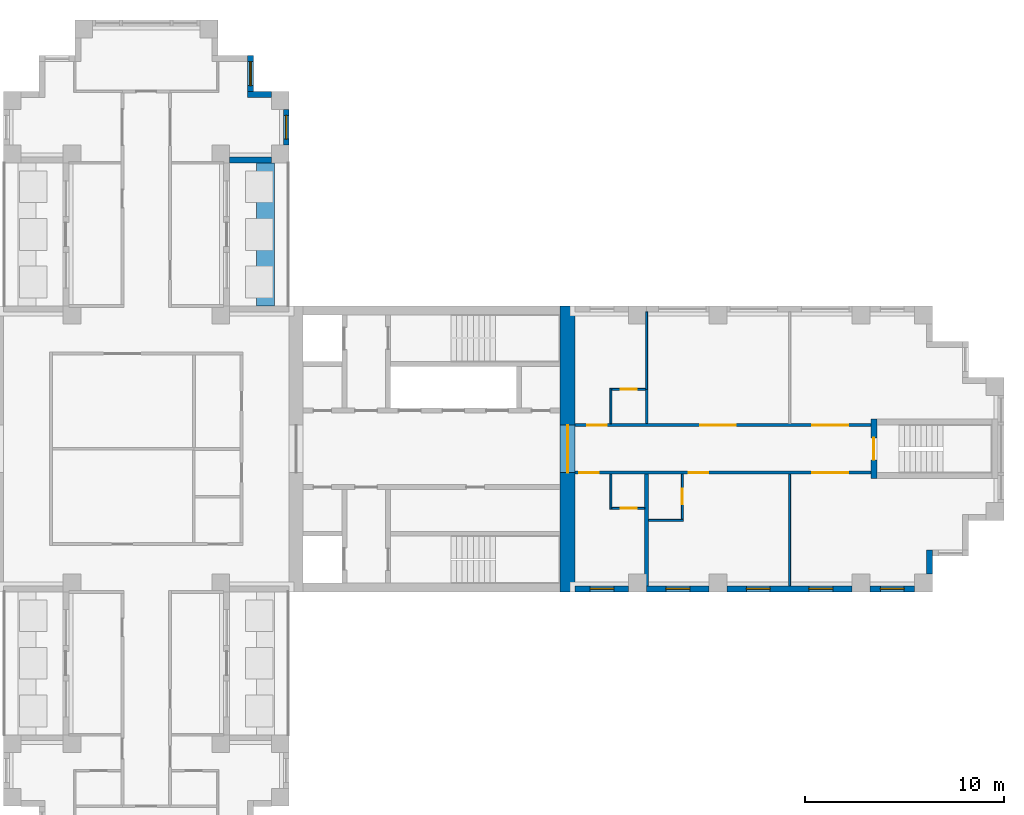
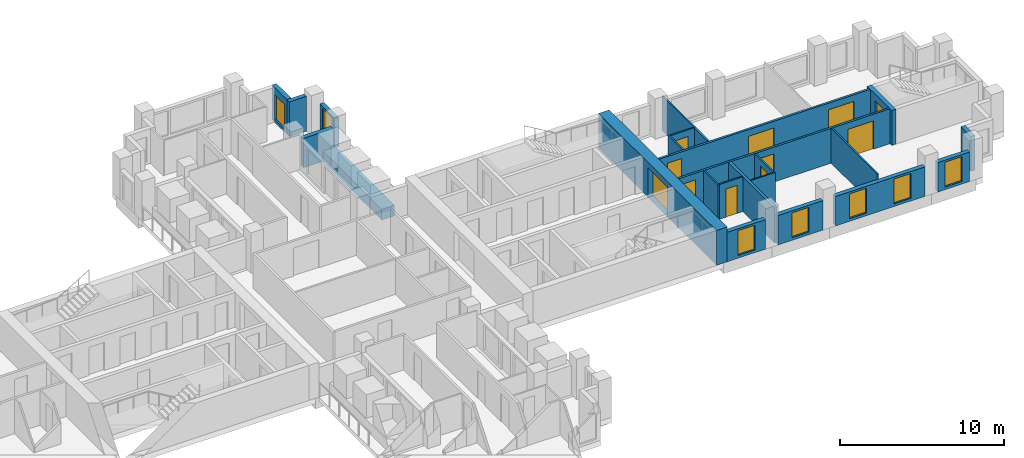
# One storey, part 8 of 12: 24 walls, 11 doors, 7 windows, 18 openings.
"""IFC4 building model written with IfcOpenShell, lengths in metres."""

from ifc_helpers import new_model, si_unit, direction, frame, frame_2d, origin, place, context, subcontext, project, spatial, rectangle, extrude, material, layer, layer_set, type_object, element, fill, save


model = new_model("IFC4")

# Units and contexts
model_context = context("Model", 3, precision=1e-05, world=origin(), true_north=direction((0.0, 1.0)))
body_context = subcontext(model_context, "Body", "Model", "MODEL_VIEW")
ifc_project = project(units=[si_unit("LENGTHUNIT", "METRE"), si_unit("AREAUNIT", "SQUARE_METRE"), si_unit("VOLUMEUNIT", "CUBIC_METRE"), si_unit("PLANEANGLEUNIT", "RADIAN"), si_unit("MASSUNIT", "GRAM", prefix="KILO")], contexts=[model_context])

# Site, building, storey
site_placement = place(None, origin())
site = spatial("IfcSite", under=ifc_project, at=site_placement, CompositionType="ELEMENT")
building_placement = place(site_placement, origin())
building = spatial("IfcBuilding", under=site, at=building_placement, Name="Fustian Cross Tower", CompositionType="ELEMENT")
storey_placement = place(building_placement, frame((0.0, 0.0, 135.300048828125)))
storey = spatial("IfcBuildingStorey", under=building, at=storey_placement, Name="L42", CompositionType="ELEMENT", Elevation=135.300048828125)

# Wall, openings, doors
ifc_material_1 = material(Name="Plasterboard on steel stud", Category="steel")
ifc_layer_1 = layer(ifc_material_1, 0.14990234375)
ifc_layer_set_1 = layer_set([ifc_layer_1], Name="Plasterboard on steel stud")
wall_type_1 = type_object("IfcWallType", Name="COMPARTMENT WALL 150 EI 60", PredefinedType="PARTITIONING", material=ifc_layer_set_1)
wall_1_placement = place(storey_placement, frame((21.60009765625, -1.199951171875, 0.0), z_axis=(0.0, 0.0, 1.0), x_axis=(1.0, 0.0, 0.0)))
wall_1 = element("IfcWall", 1, at=wall_1_placement, inside=storey, type_object=wall_type_1, Name="Partition 49", PredefinedType="PARTITIONING", context=body_context, shape_type="SweptSolid", body=[
    extrude(rectangle(XDim=14.89990234375, YDim=0.14990234375, at=frame_2d((7.449951171875, 0.0))), origin(), (0.0, 0.0, 1.0), 2.599853515625),
])
opening_1_placement = place(wall_1_placement, frame((0.199951171875, 0.0, 0.0)))
opening_1 = element("IfcOpeningElement", 2, at=opening_1_placement, cuts=wall_1, Name="Opening D19011", PredefinedType="OPENING", context=body_context, shape_type="SweptSolid", body=[
    extrude(rectangle(XDim=1.0, YDim=2.10009765625, at=frame_2d((0.5, 1.050048828125))), frame((0.0, 0.0849609375, 0.0), z_axis=(0.0, -1.0, 0.0), x_axis=(1.0, 0.0, 0.0)), (0.0, 0.0, 1.0), 0.169921875),
])
opening_2_placement = place(wall_1_placement, frame((5.7099609375, 0.0, 0.0)))
opening_2 = element("IfcOpeningElement", 3, at=opening_2_placement, cuts=wall_1, Name="Opening D19013", PredefinedType="OPENING", context=body_context, shape_type="SweptSolid", body=[
    extrude(rectangle(XDim=1.0, YDim=2.10009765625, at=frame_2d((0.5, 1.050048828125))), frame((0.0, 0.0849609375, 0.0), z_axis=(0.0, -1.0, 0.0), x_axis=(1.0, 0.0, 0.0)), (0.0, 0.0, 1.0), 0.169921875),
])
opening_3_placement = place(wall_1_placement, frame((11.949951171875, 0.0, 0.0)))
opening_3 = element("IfcOpeningElement", 4, at=opening_3_placement, cuts=wall_1, Name="Opening D19014", PredefinedType="OPENING", context=body_context, shape_type="SweptSolid", body=[
    extrude(rectangle(XDim=1.800048828125, YDim=2.10009765625, at=frame_2d((0.89990234375, 1.050048828125))), frame((0.0, 0.0849609375, 0.0), z_axis=(0.0, -1.0, 0.0), x_axis=(1.0, 0.0, 0.0)), (0.0, 0.0, 1.0), 0.169921875),
])
ifc_material_2 = material(Name="Timber fire door set", Category="wood")
door_type_1 = type_object("IfcDoorType", Name="FIRE DOUBLE DOOR 1800 FD30S", OperationType="DOUBLE_DOOR_DOUBLE_SWING", PredefinedType="DOOR", material=ifc_material_2)
door_1_placement = place(opening_3_placement, origin())
door_1 = element("IfcDoor", 5, at=door_1_placement, inside=storey, type_object=door_type_1, Name="Door D19014", OperationType="DOUBLE_DOOR_DOUBLE_SWING", OverallHeight=2.10009765625, OverallWidth=1.800048828125, PredefinedType="DOOR", context=body_context, shape_type="SweptSolid", body=[
    extrude(rectangle(XDim=1.800048828125, YDim=2.10009765625, at=frame_2d((0.89990234375, 1.050048828125))), frame((0.0, 0.02490234375, 0.0), z_axis=(0.0, -1.0, 0.0), x_axis=(1.0, 0.0, 0.0)), (0.0, 0.0, 1.0), 0.050048828125),
])
fill(opening_3, door_1)
ifc_material_3 = material(Name="Timber fire door set", Category="wood")
door_type_2 = type_object("IfcDoorType", Name="FIRE SWING DOOR 1000 FD30S", OperationType="SINGLE_SWING_LEFT", PredefinedType="DOOR", material=ifc_material_3)
door_2_placement = place(opening_1_placement, frame((1.0, 0.0, 0.0), z_axis=(0.0, 0.0, 1.0), x_axis=(-1.0, 0.0, 0.0)))
door_2 = element("IfcDoor", 6, at=door_2_placement, inside=storey, type_object=door_type_2, Name="Door D19011", OperationType="SINGLE_SWING_RIGHT", OverallHeight=2.10009765625, OverallWidth=1.0, PredefinedType="DOOR", context=body_context, shape_type="SweptSolid", body=[
    extrude(rectangle(XDim=1.0, YDim=2.10009765625, at=frame_2d((0.5, 1.050048828125))), frame((0.0, 0.02490234375, 0.0), z_axis=(0.0, -1.0, 0.0), x_axis=(1.0, 0.0, 0.0)), (0.0, 0.0, 1.0), 0.050048828125),
])
fill(opening_1, door_2)
door_3_placement = place(opening_2_placement, frame((1.0, 0.0, 0.0), z_axis=(0.0, 0.0, 1.0), x_axis=(-1.0, 0.0, 0.0)))
door_3 = element("IfcDoor", 7, at=door_3_placement, inside=storey, type_object=door_type_2, Name="Door D19013", OperationType="SINGLE_SWING_RIGHT", OverallHeight=2.10009765625, OverallWidth=1.0, PredefinedType="DOOR", context=body_context, shape_type="SweptSolid", body=[
    extrude(rectangle(XDim=1.0, YDim=2.10009765625, at=frame_2d((0.5, 1.050048828125))), frame((0.0, 0.02490234375, 0.0), z_axis=(0.0, -1.0, 0.0), x_axis=(1.0, 0.0, 0.0)), (0.0, 0.0, 1.0), 0.050048828125),
])
fill(opening_2, door_3)

wall_2_placement = place(storey_placement, frame((21.60009765625, 1.199951171875, 0.0), z_axis=(0.0, 0.0, 1.0), x_axis=(1.0, 0.0, 0.0)))
wall_2 = element("IfcWall", 8, at=wall_2_placement, inside=storey, type_object=wall_type_1, Name="Partition 50", PredefinedType="PARTITIONING", context=body_context, shape_type="SweptSolid", body=[
    extrude(rectangle(XDim=14.89990234375, YDim=0.14990234375, at=frame_2d((7.449951171875, 0.0))), origin(), (0.0, 0.0, 1.0), 2.599853515625),
])
opening_4_placement = place(wall_2_placement, frame((0.60009765625, 0.0, 0.0)))
opening_4 = element("IfcOpeningElement", 9, at=opening_4_placement, cuts=wall_2, Name="Opening D19007", PredefinedType="OPENING", context=body_context, shape_type="SweptSolid", body=[
    extrude(rectangle(XDim=1.0, YDim=2.10009765625, at=frame_2d((0.5, 1.050048828125))), frame((0.0, 0.0849609375, 0.0), z_axis=(0.0, -1.0, 0.0), x_axis=(1.0, 0.0, 0.0)), (0.0, 0.0, 1.0), 0.169921875),
])
opening_5_placement = place(wall_2_placement, frame((6.300048828125, 0.0, 0.0)))
opening_5 = element("IfcOpeningElement", 10, at=opening_5_placement, cuts=wall_2, Name="Opening D19008", PredefinedType="OPENING", context=body_context, shape_type="SweptSolid", body=[
    extrude(rectangle(XDim=1.800048828125, YDim=2.10009765625, at=frame_2d((0.89990234375, 1.050048828125))), frame((0.0, 0.0849609375, 0.0), z_axis=(0.0, -1.0, 0.0), x_axis=(1.0, 0.0, 0.0)), (0.0, 0.0, 1.0), 0.169921875),
])
opening_6_placement = place(wall_2_placement, frame((11.949951171875, 0.0, 0.0)))
opening_6 = element("IfcOpeningElement", 11, at=opening_6_placement, cuts=wall_2, Name="Opening D19009", PredefinedType="OPENING", context=body_context, shape_type="SweptSolid", body=[
    extrude(rectangle(XDim=1.800048828125, YDim=2.10009765625, at=frame_2d((0.89990234375, 1.050048828125))), frame((0.0, 0.0849609375, 0.0), z_axis=(0.0, -1.0, 0.0), x_axis=(1.0, 0.0, 0.0)), (0.0, 0.0, 1.0), 0.169921875),
])
door_4_placement = place(opening_5_placement, frame((1.800048828125, 0.0, 0.0), z_axis=(0.0, 0.0, 1.0), x_axis=(-1.0, 0.0, 0.0)))
door_4 = element("IfcDoor", 12, at=door_4_placement, inside=storey, type_object=door_type_1, Name="Door D19008", OperationType="DOUBLE_DOOR_DOUBLE_SWING", OverallHeight=2.10009765625, OverallWidth=1.800048828125, PredefinedType="DOOR", context=body_context, shape_type="SweptSolid", body=[
    extrude(rectangle(XDim=1.800048828125, YDim=2.10009765625, at=frame_2d((0.89990234375, 1.050048828125))), frame((0.0, 0.02490234375, 0.0), z_axis=(0.0, -1.0, 0.0), x_axis=(1.0, 0.0, 0.0)), (0.0, 0.0, 1.0), 0.050048828125),
])
fill(opening_5, door_4)
door_5_placement = place(opening_6_placement, frame((1.800048828125, 0.0, 0.0), z_axis=(0.0, 0.0, 1.0), x_axis=(-1.0, 0.0, 0.0)))
door_5 = element("IfcDoor", 13, at=door_5_placement, inside=storey, type_object=door_type_1, Name="Door D19009", OperationType="DOUBLE_DOOR_DOUBLE_SWING", OverallHeight=2.10009765625, OverallWidth=1.800048828125, PredefinedType="DOOR", context=body_context, shape_type="SweptSolid", body=[
    extrude(rectangle(XDim=1.800048828125, YDim=2.10009765625, at=frame_2d((0.89990234375, 1.050048828125))), frame((0.0, 0.02490234375, 0.0), z_axis=(0.0, -1.0, 0.0), x_axis=(1.0, 0.0, 0.0)), (0.0, 0.0, 1.0), 0.050048828125),
])
fill(opening_6, door_5)
door_6_placement = place(opening_4_placement, origin())
door_6 = element("IfcDoor", 14, at=door_6_placement, inside=storey, type_object=door_type_2, Name="Door D19007", OperationType="SINGLE_SWING_RIGHT", OverallHeight=2.10009765625, OverallWidth=1.0, PredefinedType="DOOR", context=body_context, shape_type="SweptSolid", body=[
    extrude(rectangle(XDim=1.0, YDim=2.10009765625, at=frame_2d((0.5, 1.050048828125))), frame((0.0, 0.02490234375, 0.0), z_axis=(0.0, -1.0, 0.0), x_axis=(1.0, 0.0, 0.0)), (0.0, 0.0, 1.0), 0.050048828125),
])
fill(opening_4, door_6)

# Wall, opening, door
ifc_material_4 = material(Name="Concrete C60/75", Category="concrete")
ifc_layer_2 = layer(ifc_material_4, 0.75)
ifc_layer_set_2 = layer_set([ifc_layer_2], Name="Concrete C60/75")
wall_type_2 = type_object("IfcWallType", Name="CORE END WALL 750 C60/75", PredefinedType="SHEAR", material=ifc_layer_set_2)
wall_3_placement = place(storey_placement, frame((21.22509765625, -7.199951171875, 0.0), z_axis=(0.0, 0.0, 1.0), x_axis=(0.0, 1.0, 0.0)))
wall_3 = element("IfcWall", 15, at=wall_3_placement, inside=storey, type_object=wall_type_2, Name="Core end wall", PredefinedType="SHEAR", context=body_context, shape_type="SweptSolid", body=[
    extrude(rectangle(XDim=14.39990234375, YDim=0.75, at=frame_2d((7.199951171875, 0.0))), origin(), (0.0, 0.0, 1.0), 2.599853515625),
])
opening_7_placement = place(wall_3_placement, frame((6.0, 0.0, 0.0)))
opening_7 = element("IfcOpeningElement", 16, at=opening_7_placement, cuts=wall_3, Name="Opening CD-17-13", PredefinedType="OPENING", context=body_context, shape_type="SweptSolid", body=[
    extrude(rectangle(XDim=2.39990234375, YDim=2.199951171875, at=frame_2d((1.199951171875, 1.10009765625))), frame((0.0, 0.385009765625, 0.0), z_axis=(0.0, -1.0, 0.0), x_axis=(1.0, 0.0, 0.0)), (0.0, 0.0, 1.0), 0.77001953125),
])
ifc_material_5 = material(Name="Steel", Category="steel")
door_type_3 = type_object("IfcDoorType", Name="FIRE DOOR FD30S DOUBLE 2400X2200", OperationType="DOUBLE_DOOR_DOUBLE_SWING", PredefinedType="DOOR", material=ifc_material_5)
door_7_placement = place(opening_7_placement, origin())
door_7 = element("IfcDoor", 17, at=door_7_placement, inside=storey, type_object=door_type_3, Name="Core door CD-17-13", OperationType="DOUBLE_DOOR_DOUBLE_SWING", OverallHeight=2.199951171875, OverallWidth=2.39990234375, PredefinedType="DOOR", context=body_context, shape_type="SweptSolid", body=[
    extrude(rectangle(XDim=2.39990234375, YDim=2.199951171875, at=frame_2d((1.199951171875, 1.10009765625))), frame((0.0, 0.02490234375, 0.0), z_axis=(0.0, -1.0, 0.0), x_axis=(1.0, 0.0, 0.0)), (0.0, 0.0, 1.0), 0.050048828125),
])
fill(opening_7, door_7)

# Wall
ifc_material_6 = material(Name="Plasterboard on steel stud", Category="steel")
ifc_layer_3 = layer(ifc_material_6, 0.10009765625)
ifc_layer_set_3 = layer_set([ifc_layer_3], Name="Plasterboard on steel stud")
wall_type_3 = type_object("IfcWallType", Name="PARTITION 100 STUD", PredefinedType="PARTITIONING", material=ifc_layer_set_3)
wall_4_placement = place(storey_placement, frame((23.39990234375, -3.050048828125, 0.0), z_axis=(0.0, 0.0, 1.0), x_axis=(0.0, 1.0, 0.0)))
element("IfcWall", 18, at=wall_4_placement, inside=storey, type_object=wall_type_3, Name="Partition 51", PredefinedType="PARTITIONING", context=body_context, shape_type="SweptSolid", body=[
    extrude(rectangle(XDim=1.775146484375, YDim=0.10009765625, at=frame_2d((0.8876953125, 0.0))), origin(), (0.0, 0.0, 1.0), 2.599853515625),
])

# Wall, opening, door
wall_5_placement = place(storey_placement, frame((23.449951171875, -3.0, 0.0), z_axis=(0.0, 0.0, 1.0), x_axis=(1.0, 0.0, 0.0)))
wall_5 = element("IfcWall", 19, at=wall_5_placement, inside=storey, type_object=wall_type_3, Name="Partition 52", PredefinedType="PARTITIONING", context=body_context, shape_type="SweptSolid", body=[
    extrude(rectangle(XDim=1.650146484375, YDim=0.10009765625, at=frame_2d((0.8251953125, 0.0))), origin(), (0.0, 0.0, 1.0), 2.599853515625),
])
opening_8_placement = place(wall_5_placement, frame((0.449951171875, 0.0, 0.0)))
opening_8 = element("IfcOpeningElement", 20, at=opening_8_placement, cuts=wall_5, Name="Opening D19010", PredefinedType="OPENING", context=body_context, shape_type="SweptSolid", body=[
    extrude(rectangle(XDim=0.800048828125, YDim=2.10009765625, at=frame_2d((0.39990234375, 1.050048828125))), frame((0.0, 0.06005859375, 0.0), z_axis=(0.0, -1.0, 0.0), x_axis=(1.0, 0.0, 0.0)), (0.0, 0.0, 1.0), 0.1201171875),
])
ifc_material_7 = material(Name="Painted timber", Category="wood")
door_type_4 = type_object("IfcDoorType", Name="SWING DOOR 800", OperationType="SINGLE_SWING_LEFT", PredefinedType="DOOR", material=ifc_material_7)
door_8_placement = place(opening_8_placement, origin())
door_8 = element("IfcDoor", 21, at=door_8_placement, inside=storey, type_object=door_type_4, Name="Door D19010", OperationType="SINGLE_SWING_RIGHT", OverallHeight=2.10009765625, OverallWidth=0.800048828125, PredefinedType="DOOR", context=body_context, shape_type="SweptSolid", body=[
    extrude(rectangle(XDim=0.800048828125, YDim=2.10009765625, at=frame_2d((0.39990234375, 1.050048828125))), frame((0.0, 0.02490234375, 0.0), z_axis=(0.0, -1.0, 0.0), x_axis=(1.0, 0.0, 0.0)), (0.0, 0.0, 1.0), 0.050048828125),
])
fill(opening_8, door_8)

# Wall
wall_6_placement = place(storey_placement, frame((23.39990234375, 1.27490234375, 0.0), z_axis=(0.0, 0.0, 1.0), x_axis=(0.0, 1.0, 0.0)))
element("IfcWall", 22, at=wall_6_placement, inside=storey, type_object=wall_type_3, Name="Partition 53", PredefinedType="PARTITIONING", context=body_context, shape_type="SweptSolid", body=[
    extrude(rectangle(XDim=1.775146484375, YDim=0.10009765625, at=frame_2d((0.8876953125, 0.0))), origin(), (0.0, 0.0, 1.0), 2.599853515625),
])

# Wall, opening, door
wall_7_placement = place(storey_placement, frame((23.449951171875, 3.0, 0.0), z_axis=(0.0, 0.0, 1.0), x_axis=(1.0, 0.0, 0.0)))
wall_7 = element("IfcWall", 23, at=wall_7_placement, inside=storey, type_object=wall_type_3, Name="Partition 54", PredefinedType="PARTITIONING", context=body_context, shape_type="SweptSolid", body=[
    extrude(rectangle(XDim=1.6875, YDim=0.10009765625, at=frame_2d((0.84375, 0.0))), origin(), (0.0, 0.0, 1.0), 2.599853515625),
])
opening_9_placement = place(wall_7_placement, frame((0.449951171875, 0.0, 0.0)))
opening_9 = element("IfcOpeningElement", 24, at=opening_9_placement, cuts=wall_7, Name="Opening D19006", PredefinedType="OPENING", context=body_context, shape_type="SweptSolid", body=[
    extrude(rectangle(XDim=0.800048828125, YDim=2.10009765625, at=frame_2d((0.39990234375, 1.050048828125))), frame((0.0, 0.06005859375, 0.0), z_axis=(0.0, -1.0, 0.0), x_axis=(1.0, 0.0, 0.0)), (0.0, 0.0, 1.0), 0.1201171875),
])
door_9_placement = place(opening_9_placement, frame((0.800048828125, 0.0, 0.0), z_axis=(0.0, 0.0, 1.0), x_axis=(-1.0, 0.0, 0.0)))
door_9 = element("IfcDoor", 25, at=door_9_placement, inside=storey, type_object=door_type_4, Name="Door D19006", OperationType="SINGLE_SWING_LEFT", OverallHeight=2.10009765625, OverallWidth=0.800048828125, PredefinedType="DOOR", context=body_context, shape_type="SweptSolid", body=[
    extrude(rectangle(XDim=0.800048828125, YDim=2.10009765625, at=frame_2d((0.39990234375, 1.050048828125))), frame((0.0, 0.02490234375, 0.0), z_axis=(0.0, -1.0, 0.0), x_axis=(1.0, 0.0, 0.0)), (0.0, 0.0, 1.0), 0.050048828125),
])
fill(opening_9, door_9)

# Walls
wall_8_placement = place(storey_placement, frame((25.300048828125, -3.60009765625, 0.0), z_axis=(0.0, 0.0, 1.0), x_axis=(1.0, 0.0, 0.0)))
element("IfcWall", 26, at=wall_8_placement, inside=storey, type_object=wall_type_3, Name="Partition 56", PredefinedType="PARTITIONING", context=body_context, shape_type="SweptSolid", body=[
    extrude(rectangle(XDim=1.75, YDim=0.10009765625, at=frame_2d((0.875, 0.0))), origin(), (0.0, 0.0, 1.0), 2.599853515625),
])
wall_9_placement = place(storey_placement, frame((25.199951171875, 3.0, 0.0), z_axis=(0.0, 0.0, 1.0), x_axis=(0.0, 1.0, 0.0)))
element("IfcWall", 27, at=wall_9_placement, inside=storey, type_object=wall_type_3, Name="Partition 58", PredefinedType="PARTITIONING", context=body_context, shape_type="SweptSolid", body=[
    extrude(rectangle(XDim=3.89990234375, YDim=0.10009765625, at=frame_2d((1.949951171875, 0.0))), origin(), (0.0, 0.0, 1.0), 2.599853515625),
])

# Wall, opening, door
wall_10_placement = place(storey_placement, frame((27.0, -3.550048828125, 0.0), z_axis=(0.0, 0.0, 1.0), x_axis=(0.0, 1.0, 0.0)))
wall_10 = element("IfcWall", 28, at=wall_10_placement, inside=storey, type_object=wall_type_3, Name="Partition 59", PredefinedType="PARTITIONING", context=body_context, shape_type="SweptSolid", body=[
    extrude(rectangle(XDim=2.275146484375, YDim=0.10009765625, at=frame_2d((1.1376953125, 0.0))), origin(), (0.0, 0.0, 1.0), 2.599853515625),
])
opening_10_placement = place(wall_10_placement, frame((0.75, 0.0, 0.0)))
opening_10 = element("IfcOpeningElement", 29, at=opening_10_placement, cuts=wall_10, Name="Opening D19012", PredefinedType="OPENING", context=body_context, shape_type="SweptSolid", body=[
    extrude(rectangle(XDim=0.800048828125, YDim=2.10009765625, at=frame_2d((0.39990234375, 1.050048828125))), frame((0.0, 0.06005859375, 0.0), z_axis=(0.0, -1.0, 0.0), x_axis=(1.0, 0.0, 0.0)), (0.0, 0.0, 1.0), 0.1201171875),
])
door_10_placement = place(opening_10_placement, origin())
door_10 = element("IfcDoor", 30, at=door_10_placement, inside=storey, type_object=door_type_4, Name="Door D19012", OperationType="SINGLE_SWING_LEFT", OverallHeight=2.10009765625, OverallWidth=0.800048828125, PredefinedType="DOOR", context=body_context, shape_type="SweptSolid", body=[
    extrude(rectangle(XDim=0.800048828125, YDim=2.10009765625, at=frame_2d((0.39990234375, 1.050048828125))), frame((0.0, 0.02490234375, 0.0), z_axis=(0.0, -1.0, 0.0), x_axis=(1.0, 0.0, 0.0)), (0.0, 0.0, 1.0), 0.050048828125),
])
fill(opening_10, door_10)

# Walls
wall_11_placement = place(storey_placement, frame((32.39990234375, -6.89990234375, 0.0), z_axis=(0.0, 0.0, 1.0), x_axis=(0.0, 1.0, 0.0)))
element("IfcWall", 31, at=wall_11_placement, inside=storey, type_object=wall_type_3, Name="Partition 60", PredefinedType="PARTITIONING", context=body_context, shape_type="SweptSolid", body=[
    extrude(rectangle(XDim=5.625, YDim=0.10009765625, at=frame_2d((2.8125, 0.0))), origin(), (0.0, 0.0, 1.0), 2.599853515625),
])
ifc_material_8 = material(Name="Plasterboard on steel stud", Category="steel")
ifc_layer_4 = layer(ifc_material_8, 0.199951171875)
ifc_layer_set_4 = layer_set([ifc_layer_4], Name="Plasterboard on steel stud")
wall_type_4 = type_object("IfcWallType", Name="PARTY WALL 200 EI 60", PredefinedType="PARTITIONING", material=ifc_layer_set_4)
wall_12_placement = place(storey_placement, frame((25.199951171875, -6.89990234375, 0.0), z_axis=(0.0, 0.0, 1.0), x_axis=(0.0, 1.0, 0.0)))
element("IfcWall", 32, at=wall_12_placement, inside=storey, type_object=wall_type_4, Name="Partition 55", PredefinedType="PARTITIONING", context=body_context, shape_type="SweptSolid", body=[
    extrude(rectangle(XDim=5.625, YDim=0.199951171875, at=frame_2d((2.8125, 0.0))), origin(), (0.0, 0.0, 1.0), 2.599853515625),
])
ifc_material_9 = material(Name="Concrete C40/50", Category="concrete")
ifc_layer_5 = layer(ifc_material_9, 0.89990234375)
ifc_layer_set_5 = layer_set([ifc_layer_5], Name="Concrete C40/50")
wall_type_5 = type_object("IfcWallType", Name="PK1 PLANTER 900", PredefinedType="PARAPET", material=ifc_layer_set_5)
wall_13_placement = place(storey_placement, frame((6.0, 7.199951171875, 0.0), z_axis=(0.0, 0.0, 1.0), x_axis=(0.0, 1.0, 0.0)))
element("IfcWall", 33, at=wall_13_placement, inside=storey, type_object=wall_type_5, Name="PLANTER", PredefinedType="PARAPET", context=body_context, shape_type="SweptSolid", body=[
    extrude(rectangle(XDim=7.199951171875, YDim=0.89990234375, at=frame_2d((3.60009765625, 0.0))), origin(), (0.0, 0.0, 1.0), 0.800048828125),
])

# Wall, opening, door
ifc_material_10 = material(Name="Concrete C50/60", Category="concrete")
ifc_layer_6 = layer(ifc_material_10, 0.300048828125)
ifc_layer_set_6 = layer_set([ifc_layer_6], Name="Concrete C50/60")
wall_type_6 = type_object("IfcWallType", Name="STAIR ENCLOSURE WALL 300 C50/60", PredefinedType="SHEAR", material=ifc_layer_set_6)
wall_14_placement = place(storey_placement, frame((36.64990234375, -1.5, 0.0), z_axis=(0.0, 0.0, 1.0), x_axis=(0.0, 1.0, 0.0)))
wall_14 = element("IfcWall", 34, at=wall_14_placement, inside=storey, type_object=wall_type_6, Name="Stair enclosure wall", PredefinedType="SHEAR", context=body_context, shape_type="SweptSolid", body=[
    extrude(rectangle(XDim=3.0, YDim=0.300048828125, at=frame_2d((1.5, 0.0))), origin(), (0.0, 0.0, 1.0), 2.599853515625),
])
opening_11_placement = place(wall_14_placement, frame((0.949951171875, 0.0, 0.0)))
opening_11 = element("IfcOpeningElement", 35, at=opening_11_placement, cuts=wall_14, Name="Opening CD-17-31", PredefinedType="OPENING", context=body_context, shape_type="SweptSolid", body=[
    extrude(rectangle(XDim=1.10009765625, YDim=2.10009765625, at=frame_2d((0.550048828125, 1.050048828125))), frame((0.0, 0.159912109375, 0.0), z_axis=(0.0, -1.0, 0.0), x_axis=(1.0, 0.0, 0.0)), (0.0, 0.0, 1.0), 0.320068359375),
])
ifc_material_11 = material(Name="Steel", Category="steel")
door_type_5 = type_object("IfcDoorType", Name="FIRE DOOR FD60S 1100X2100", OperationType="SINGLE_SWING_LEFT", PredefinedType="DOOR", material=ifc_material_11)
door_11_placement = place(opening_11_placement, frame((1.10009765625, 0.0, 0.0), z_axis=(0.0, 0.0, 1.0), x_axis=(-1.0, 0.0, 0.0)))
door_11 = element("IfcDoor", 36, at=door_11_placement, inside=storey, type_object=door_type_5, Name="Core door CD-17-31", OperationType="SINGLE_SWING_RIGHT", OverallHeight=2.10009765625, OverallWidth=1.10009765625, PredefinedType="DOOR", context=body_context, shape_type="SweptSolid", body=[
    extrude(rectangle(XDim=1.10009765625, YDim=2.10009765625, at=frame_2d((0.550048828125, 1.050048828125))), frame((0.0, 0.02490234375, 0.0), z_axis=(0.0, -1.0, 0.0), x_axis=(1.0, 0.0, 0.0)), (0.0, 0.0, 1.0), 0.050048828125),
])
fill(opening_11, door_11)

# Wall
ifc_material_12 = material(Name="Plasterboard on steel stud", Category="steel")
ifc_layer_7 = layer(ifc_material_12, 0.125)
ifc_layer_set_7 = layer_set([ifc_layer_7], Name="Plasterboard on steel stud")
wall_type_7 = type_object("IfcWallType", Name="WET WALL 125 STUD", PredefinedType="PARTITIONING", material=ifc_layer_set_7)
wall_15_placement = place(storey_placement, frame((25.199951171875, 1.27490234375, 0.0), z_axis=(0.0, 0.0, 1.0), x_axis=(0.0, 1.0, 0.0)))
element("IfcWall", 37, at=wall_15_placement, inside=storey, type_object=wall_type_7, Name="Partition 57", PredefinedType="PARTITIONING", context=body_context, shape_type="SweptSolid", body=[
    extrude(rectangle(XDim=1.72509765625, YDim=0.125, at=frame_2d((0.862548828125, 0.0))), origin(), (0.0, 0.0, 1.0), 2.599853515625),
])

# Wall, opening, window
ifc_material_13 = material(Name="Dark aluminium cladding on insulated backing wall", Category="aluminium")
ifc_layer_8 = layer(ifc_material_13, 0.300048828125)
ifc_layer_set_8 = layer_set([ifc_layer_8], Name="Dark aluminium cladding on insulated backing wall")
wall_type_8 = type_object("IfcWallType", Name="XW1 EXTERNAL WALL 300", PredefinedType="SOLIDWALL", material=ifc_layer_set_8)
wall_16_placement = place(storey_placement, frame((21.60009765625, -7.050048828125, 0.0), z_axis=(0.0, 0.0, 1.0), x_axis=(1.0, 0.0, 0.0)))
wall_16 = element("IfcWall", 38, at=wall_16_placement, inside=storey, type_object=wall_type_8, Name="External wall", PredefinedType="SOLIDWALL", context=body_context, shape_type="SweptSolid", body=[
    extrude(rectangle(XDim=2.699951171875, YDim=0.300048828125, at=frame_2d((1.35009765625, 0.0))), origin(), (0.0, 0.0, 1.0), 2.199951171875),
])
opening_12_placement = place(wall_16_placement, frame((0.75, 0.0, 0.199951171875)))
opening_12 = element("IfcOpeningElement", 39, at=opening_12_placement, cuts=wall_16, Name="Opening WN3", PredefinedType="OPENING", context=body_context, shape_type="SweptSolid", body=[
    extrude(rectangle(XDim=1.199951171875, YDim=1.85009765625, at=frame_2d((0.60009765625, 0.925048828125))), frame((0.0, 0.159912109375, 0.0), z_axis=(0.0, -1.0, 0.0), x_axis=(1.0, 0.0, 0.0)), (0.0, 0.0, 1.0), 0.320068359375),
])
ifc_material_14 = material(Name="Dark anodised aluminium and double glazing", Category="aluminium")
window_type = type_object("IfcWindowType", Name="WN3 WINDOW 1200X1850", PartitioningType="SINGLE_PANEL", PredefinedType="WINDOW", material=ifc_material_14)
window_1_placement = place(opening_12_placement, origin())
window_1 = element("IfcWindow", 40, at=window_1_placement, inside=storey, type_object=window_type, Name="Window", OverallHeight=1.85009765625, OverallWidth=1.199951171875, PartitioningType="SINGLE_PANEL", PredefinedType="WINDOW", context=body_context, shape_type="SweptSolid", body=[
    extrude(rectangle(XDim=1.199951171875, YDim=1.85009765625, at=frame_2d((0.60009765625, 0.925048828125))), frame((0.0, 0.030029296875, 0.0), z_axis=(0.0, -1.0, 0.0), x_axis=(1.0, 0.0, 0.0)), (0.0, 0.0, 1.0), 0.06005859375),
])
fill(opening_12, window_1)

wall_17_placement = place(storey_placement, frame((25.199951171875, -7.050048828125, 0.0), z_axis=(0.0, 0.0, 1.0), x_axis=(1.0, 0.0, 0.0)))
wall_17 = element("IfcWall", 41, at=wall_17_placement, inside=storey, type_object=wall_type_8, Name="External wall", PredefinedType="SOLIDWALL", context=body_context, shape_type="SweptSolid", body=[
    extrude(rectangle(XDim=3.150146484375, YDim=0.300048828125, at=frame_2d((1.5751953125, 0.0))), origin(), (0.0, 0.0, 1.0), 2.199951171875),
])
opening_13_placement = place(wall_17_placement, frame((0.97509765625, 0.0, 0.199951171875)))
opening_13 = element("IfcOpeningElement", 42, at=opening_13_placement, cuts=wall_17, Name="Opening WN3", PredefinedType="OPENING", context=body_context, shape_type="SweptSolid", body=[
    extrude(rectangle(XDim=1.199951171875, YDim=1.85009765625, at=frame_2d((0.60009765625, 0.925048828125))), frame((0.0, 0.159912109375, 0.0), z_axis=(0.0, -1.0, 0.0), x_axis=(1.0, 0.0, 0.0)), (0.0, 0.0, 1.0), 0.320068359375),
])
window_2_placement = place(opening_13_placement, origin())
window_2 = element("IfcWindow", 43, at=window_2_placement, inside=storey, type_object=window_type, Name="Window", OverallHeight=1.85009765625, OverallWidth=1.199951171875, PartitioningType="SINGLE_PANEL", PredefinedType="WINDOW", context=body_context, shape_type="SweptSolid", body=[
    extrude(rectangle(XDim=1.199951171875, YDim=1.85009765625, at=frame_2d((0.60009765625, 0.925048828125))), frame((0.0, 0.030029296875, 0.0), z_axis=(0.0, -1.0, 0.0), x_axis=(1.0, 0.0, 0.0)), (0.0, 0.0, 1.0), 0.06005859375),
])
fill(opening_13, window_2)

# Wall, openings, windows
wall_18_placement = place(storey_placement, frame((29.25, -7.050048828125, 0.0), z_axis=(0.0, 0.0, 1.0), x_axis=(1.0, 0.0, 0.0)))
wall_18 = element("IfcWall", 44, at=wall_18_placement, inside=storey, type_object=wall_type_8, Name="External wall", PredefinedType="SOLIDWALL", context=body_context, shape_type="SweptSolid", body=[
    extrude(rectangle(XDim=6.300048828125, YDim=0.300048828125, at=frame_2d((3.14990234375, 0.0))), origin(), (0.0, 0.0, 1.0), 2.199951171875),
])
opening_14_placement = place(wall_18_placement, frame((0.97509765625, 0.0, 0.199951171875)))
opening_14 = element("IfcOpeningElement", 45, at=opening_14_placement, cuts=wall_18, Name="Opening WN3", PredefinedType="OPENING", context=body_context, shape_type="SweptSolid", body=[
    extrude(rectangle(XDim=1.199951171875, YDim=1.85009765625, at=frame_2d((0.60009765625, 0.925048828125))), frame((0.0, 0.159912109375, 0.0), z_axis=(0.0, -1.0, 0.0), x_axis=(1.0, 0.0, 0.0)), (0.0, 0.0, 1.0), 0.320068359375),
])
opening_15_placement = place(wall_18_placement, frame((4.125, 0.0, 0.199951171875)))
opening_15 = element("IfcOpeningElement", 46, at=opening_15_placement, cuts=wall_18, Name="Opening WN3", PredefinedType="OPENING", context=body_context, shape_type="SweptSolid", body=[
    extrude(rectangle(XDim=1.199951171875, YDim=1.85009765625, at=frame_2d((0.60009765625, 0.925048828125))), frame((0.0, 0.159912109375, 0.0), z_axis=(0.0, -1.0, 0.0), x_axis=(1.0, 0.0, 0.0)), (0.0, 0.0, 1.0), 0.320068359375),
])
window_3_placement = place(opening_14_placement, origin())
window_3 = element("IfcWindow", 47, at=window_3_placement, inside=storey, type_object=window_type, Name="Window", OverallHeight=1.85009765625, OverallWidth=1.199951171875, PartitioningType="SINGLE_PANEL", PredefinedType="WINDOW", context=body_context, shape_type="SweptSolid", body=[
    extrude(rectangle(XDim=1.199951171875, YDim=1.85009765625, at=frame_2d((0.60009765625, 0.925048828125))), frame((0.0, 0.030029296875, 0.0), z_axis=(0.0, -1.0, 0.0), x_axis=(1.0, 0.0, 0.0)), (0.0, 0.0, 1.0), 0.06005859375),
])
fill(opening_14, window_3)
window_4_placement = place(opening_15_placement, origin())
window_4 = element("IfcWindow", 48, at=window_4_placement, inside=storey, type_object=window_type, Name="Window", OverallHeight=1.85009765625, OverallWidth=1.199951171875, PartitioningType="SINGLE_PANEL", PredefinedType="WINDOW", context=body_context, shape_type="SweptSolid", body=[
    extrude(rectangle(XDim=1.199951171875, YDim=1.85009765625, at=frame_2d((0.60009765625, 0.925048828125))), frame((0.0, 0.030029296875, 0.0), z_axis=(0.0, -1.0, 0.0), x_axis=(1.0, 0.0, 0.0)), (0.0, 0.0, 1.0), 0.06005859375),
])
fill(opening_15, window_4)

# Wall, opening, window
wall_19_placement = place(storey_placement, frame((36.449951171875, -7.050048828125, 0.0), z_axis=(0.0, 0.0, 1.0), x_axis=(1.0, 0.0, 0.0)))
wall_19 = element("IfcWall", 49, at=wall_19_placement, inside=storey, type_object=wall_type_8, Name="External wall", PredefinedType="SOLIDWALL", context=body_context, shape_type="SweptSolid", body=[
    extrude(rectangle(XDim=2.25, YDim=0.300048828125, at=frame_2d((1.125, 0.0))), origin(), (0.0, 0.0, 1.0), 2.199951171875),
])
opening_16_placement = place(wall_19_placement, frame((0.52490234375, 0.0, 0.199951171875)))
opening_16 = element("IfcOpeningElement", 50, at=opening_16_placement, cuts=wall_19, Name="Opening WN3", PredefinedType="OPENING", context=body_context, shape_type="SweptSolid", body=[
    extrude(rectangle(XDim=1.199951171875, YDim=1.85009765625, at=frame_2d((0.60009765625, 0.925048828125))), frame((0.0, 0.159912109375, 0.0), z_axis=(0.0, -1.0, 0.0), x_axis=(1.0, 0.0, 0.0)), (0.0, 0.0, 1.0), 0.320068359375),
])
window_5_placement = place(opening_16_placement, origin())
window_5 = element("IfcWindow", 51, at=window_5_placement, inside=storey, type_object=window_type, Name="Window", OverallHeight=1.85009765625, OverallWidth=1.199951171875, PartitioningType="SINGLE_PANEL", PredefinedType="WINDOW", context=body_context, shape_type="SweptSolid", body=[
    extrude(rectangle(XDim=1.199951171875, YDim=1.85009765625, at=frame_2d((0.60009765625, 0.925048828125))), frame((0.0, 0.030029296875, 0.0), z_axis=(0.0, -1.0, 0.0), x_axis=(1.0, 0.0, 0.0)), (0.0, 0.0, 1.0), 0.06005859375),
])
fill(opening_16, window_5)

# Walls
wall_20_placement = place(storey_placement, frame((39.449951171875, -6.300048828125, 0.0), z_axis=(0.0, 0.0, 1.0), x_axis=(0.0, 1.0, 0.0)))
element("IfcWall", 52, at=wall_20_placement, inside=storey, type_object=wall_type_8, Name="External wall", PredefinedType="SOLIDWALL", context=body_context, shape_type="SweptSolid", body=[
    extrude(rectangle(XDim=1.199951171875, YDim=0.300048828125, at=frame_2d((0.60009765625, 0.0))), origin(), (0.0, 0.0, 1.0), 2.599853515625),
])
wall_21_placement = place(storey_placement, frame((4.199951171875, 14.550048828125, 0.0), z_axis=(0.0, 0.0, 1.0), x_axis=(1.0, 0.0, 0.0)))
element("IfcWall", 53, at=wall_21_placement, inside=storey, type_object=wall_type_8, Name="External wall", PredefinedType="SOLIDWALL", context=body_context, shape_type="SweptSolid", body=[
    extrude(rectangle(XDim=2.10009765625, YDim=0.300048828125, at=frame_2d((1.050048828125, 0.0))), origin(), (0.0, 0.0, 1.0), 2.199951171875),
])

# Wall, opening, window
wall_22_placement = place(storey_placement, frame((7.050048828125, 15.300048828125, 0.0), z_axis=(0.0, 0.0, 1.0), x_axis=(0.0, 1.0, 0.0)))
wall_22 = element("IfcWall", 54, at=wall_22_placement, inside=storey, type_object=wall_type_8, Name="External wall", PredefinedType="SOLIDWALL", context=body_context, shape_type="SweptSolid", body=[
    extrude(rectangle(XDim=1.800048828125, YDim=0.300048828125, at=frame_2d((0.89990234375, 0.0))), origin(), (0.0, 0.0, 1.0), 2.199951171875),
])
opening_17_placement = place(wall_22_placement, frame((0.300048828125, 0.0, 0.199951171875)))
opening_17 = element("IfcOpeningElement", 55, at=opening_17_placement, cuts=wall_22, Name="Opening WN3", PredefinedType="OPENING", context=body_context, shape_type="SweptSolid", body=[
    extrude(rectangle(XDim=1.199951171875, YDim=1.85009765625, at=frame_2d((0.60009765625, 0.925048828125))), frame((0.0, 0.159912109375, 0.0), z_axis=(0.0, -1.0, 0.0), x_axis=(1.0, 0.0, 0.0)), (0.0, 0.0, 1.0), 0.320068359375),
])
window_6_placement = place(opening_17_placement, origin())
window_6 = element("IfcWindow", 56, at=window_6_placement, inside=storey, type_object=window_type, Name="Window", OverallHeight=1.85009765625, OverallWidth=1.199951171875, PartitioningType="SINGLE_PANEL", PredefinedType="WINDOW", context=body_context, shape_type="SweptSolid", body=[
    extrude(rectangle(XDim=1.199951171875, YDim=1.85009765625, at=frame_2d((0.60009765625, 0.925048828125))), frame((0.0, 0.030029296875, 0.0), z_axis=(0.0, -1.0, 0.0), x_axis=(1.0, 0.0, 0.0)), (0.0, 0.0, 1.0), 0.06005859375),
])
fill(opening_17, window_6)

# Wall
wall_23_placement = place(storey_placement, frame((6.300048828125, 17.85009765625, 0.0), z_axis=(0.0, 0.0, 1.0), x_axis=(-1.0, 0.0, 0.0)))
element("IfcWall", 57, at=wall_23_placement, inside=storey, type_object=wall_type_8, Name="External wall", PredefinedType="SOLIDWALL", context=body_context, shape_type="SweptSolid", body=[
    extrude(rectangle(XDim=1.199951171875, YDim=0.300048828125, at=frame_2d((0.60009765625, 0.0))), origin(), (0.0, 0.0, 1.0), 2.599853515625),
])

# Wall, opening, window
wall_24_placement = place(storey_placement, frame((5.25, 18.0, 0.0), z_axis=(0.0, 0.0, 1.0), x_axis=(0.0, 1.0, 0.0)))
wall_24 = element("IfcWall", 58, at=wall_24_placement, inside=storey, type_object=wall_type_8, Name="External wall", PredefinedType="SOLIDWALL", context=body_context, shape_type="SweptSolid", body=[
    extrude(rectangle(XDim=1.800048828125, YDim=0.300048828125, at=frame_2d((0.89990234375, 0.0))), origin(), (0.0, 0.0, 1.0), 2.599853515625),
])
opening_18_placement = place(wall_24_placement, frame((0.300048828125, 0.0, 0.199951171875)))
opening_18 = element("IfcOpeningElement", 59, at=opening_18_placement, cuts=wall_24, Name="Opening WN3", PredefinedType="OPENING", context=body_context, shape_type="SweptSolid", body=[
    extrude(rectangle(XDim=1.199951171875, YDim=1.85009765625, at=frame_2d((0.60009765625, 0.925048828125))), frame((0.0, 0.159912109375, 0.0), z_axis=(0.0, -1.0, 0.0), x_axis=(1.0, 0.0, 0.0)), (0.0, 0.0, 1.0), 0.320068359375),
])
window_7_placement = place(opening_18_placement, origin())
window_7 = element("IfcWindow", 60, at=window_7_placement, inside=storey, type_object=window_type, Name="Window", OverallHeight=1.85009765625, OverallWidth=1.199951171875, PartitioningType="SINGLE_PANEL", PredefinedType="WINDOW", context=body_context, shape_type="SweptSolid", body=[
    extrude(rectangle(XDim=1.199951171875, YDim=1.85009765625, at=frame_2d((0.60009765625, 0.925048828125))), frame((0.0, 0.030029296875, 0.0), z_axis=(0.0, -1.0, 0.0), x_axis=(1.0, 0.0, 0.0)), (0.0, 0.0, 1.0), 0.06005859375),
])
fill(opening_18, window_7)

save(model, "model.ifc")
